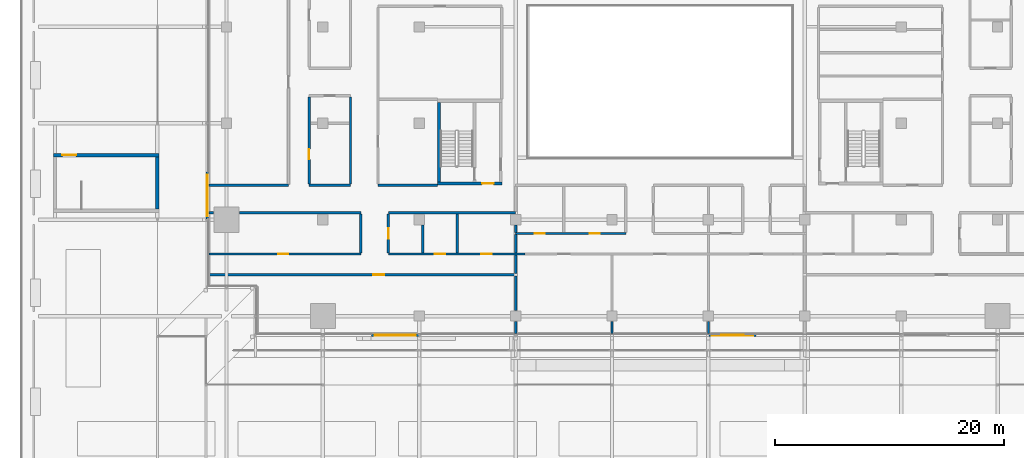
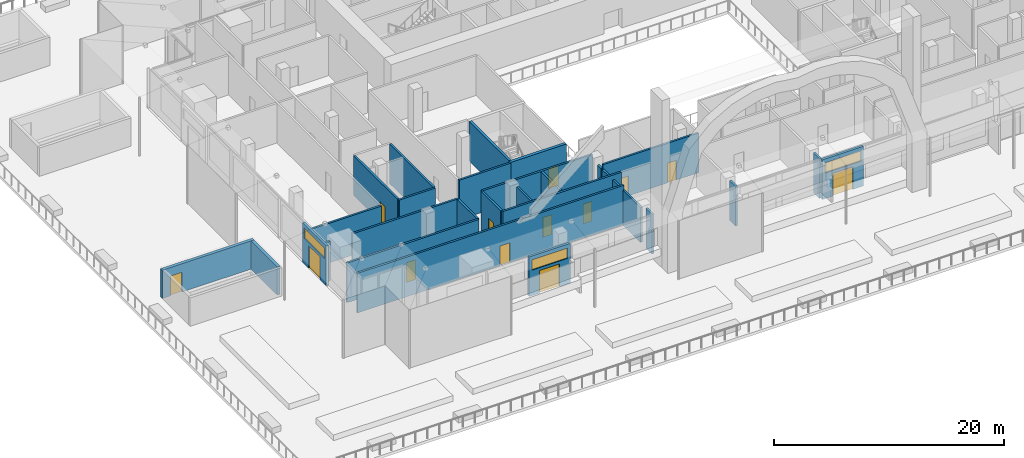
# One storey, part 22 of 60: 30 walls, 13 doors, 3 windows, 16 openings.
"""IFC4 building model written with IfcOpenShell, lengths in metres."""

from ifc_helpers import new_model, si_unit, direction, frame, frame_2d, origin, place, context, subcontext, project, spatial, rectangle, extrude, material, layer, layer_set, type_object, element, fill, save


model = new_model("IFC4")

# Units and contexts
model_context = context("Model", 3, precision=1e-05, world=origin(), true_north=direction((0.0, 1.0)))
body_context = subcontext(model_context, "Body", "Model", "MODEL_VIEW")
ifc_project = project(units=[si_unit("LENGTHUNIT", "METRE"), si_unit("AREAUNIT", "SQUARE_METRE"), si_unit("VOLUMEUNIT", "CUBIC_METRE"), si_unit("PLANEANGLEUNIT", "RADIAN"), si_unit("MASSUNIT", "GRAM", prefix="KILO")], contexts=[model_context])

# Site, building, storey
site_placement = place(None, origin())
site = spatial("IfcSite", under=ifc_project, at=site_placement, CompositionType="ELEMENT")
building_placement = place(site_placement, origin())
building = spatial("IfcBuilding", under=site, at=building_placement, Name="Saffron Gate Tower", CompositionType="ELEMENT")
storey_placement = place(building_placement, frame((0.0, 0.0, 19.199951171875)))
storey = spatial("IfcBuildingStorey", under=building, at=storey_placement, Name="L03", CompositionType="ELEMENT", Elevation=19.199951171875)

# Wall
ifc_material_1 = material(Name="Concrete C70", Category="concrete")
ifc_layer_1 = layer(ifc_material_1, 0.25)
ifc_layer_set_1 = layer_set([ifc_layer_1], Name="CW2 RC core wall 250 C70")
wall_type_1 = type_object("IfcWallType", Name="CW2 RC core wall 250 C70", PredefinedType="SOLIDWALL", material=ifc_layer_set_1)
wall_1_placement = place(storey_placement, frame((68.324951171875, 43.5, 0.0), z_axis=(0.0, 0.0, 1.0), x_axis=(0.0, 1.0, 0.0)))
element("IfcWall", 1, at=wall_1_placement, inside=storey, type_object=wall_type_1, Name="Wall CW2-L03-D-2", PredefinedType="SOLIDWALL", context=body_context, shape_type="SweptSolid", body=[
    extrude(rectangle(XDim=6.89990234375, YDim=0.25, at=frame_2d((3.449951171875, 0.0))), origin(), (0.0, 0.0, 1.0), 4.199951171875),
])

# Wall, opening, door
ifc_layer_2 = layer(ifc_material_1, 0.300048828125)
ifc_layer_set_2 = layer_set([ifc_layer_2], Name="CW5 RC core wall 300 C70")
wall_type_2 = type_object("IfcWallType", Name="CW5 RC core wall 300 C70", PredefinedType="SOLIDWALL", material=ifc_layer_set_2)
wall_2_placement = place(storey_placement, frame((68.199951171875, 43.35009765625, 0.0), z_axis=(0.0, 0.0, 1.0), x_axis=(1.0, 0.0, 0.0)))
wall_2 = element("IfcWall", 2, at=wall_2_placement, inside=storey, type_object=wall_type_2, Name="Wall CW5-L03-D-1", PredefinedType="SOLIDWALL", context=body_context, shape_type="SweptSolid", body=[
    extrude(rectangle(XDim=5.60009765625, YDim=0.300048828125, at=frame_2d((2.800048828125, 0.0))), origin(), (0.0, 0.0, 1.0), 4.199951171875),
])
opening_1_placement = place(wall_2_placement, frame((3.875, 0.0, 0.0)))
opening_1 = element("IfcOpeningElement", 3, at=opening_1_placement, cuts=wall_2, Name="Opening CR-18", PredefinedType="OPENING", context=body_context, shape_type="SweptSolid", body=[
    extrude(rectangle(XDim=1.0, YDim=2.10009765625, at=frame_2d((0.5, 1.050048828125))), frame((0.0, 0.16015625, 0.0), z_axis=(0.0, -1.0, 0.0), x_axis=(1.0, 0.0, 0.0)), (0.0, 0.0, 1.0), 0.320068359375),
])
ifc_material_2 = material(Name="Steel fire door set", Category="steel")
door_type_1 = type_object("IfcDoorType", Name="CD4 Lobby door 1000x2100 EI 120", OperationType="NOTDEFINED", PredefinedType="DOOR", material=ifc_material_2)
door_1_placement = place(opening_1_placement, origin())
door_1 = element("IfcDoor", 4, at=door_1_placement, inside=storey, type_object=door_type_1, Name="DOOR CR-18", OperationType="SINGLE_SWING_RIGHT", OverallHeight=2.10009765625, OverallWidth=1.0, PredefinedType="DOOR", context=body_context, shape_type="SweptSolid", body=[
    extrude(rectangle(XDim=1.0, YDim=2.10009765625, at=frame_2d((0.5, 1.050048828125))), frame((0.0, 0.02490234375, 0.0), z_axis=(0.0, -1.0, 0.0), x_axis=(1.0, 0.0, 0.0)), (0.0, 0.0, 1.0), 0.050048828125),
])
fill(opening_1, door_1)

# Wall
wall_3_placement = place(storey_placement, frame((43.75, 41.125, 0.0), z_axis=(0.0, 0.0, 1.0), x_axis=(0.0, 1.0, 0.0)))
element("IfcWall", 5, at=wall_3_placement, inside=storey, type_object=wall_type_2, Name="Wall CW5-L03-H-3", PredefinedType="SOLIDWALL", context=body_context, shape_type="SweptSolid", body=[
    extrude(rectangle(XDim=4.550048828125, YDim=0.300048828125, at=frame_2d((2.27490234375, 0.0))), origin(), (0.0, 0.0, 1.0), 3.0),
])

# Wall, opening, door
wall_4_placement = place(storey_placement, frame((34.699951171875, 45.824951171875, 0.0), z_axis=(0.0, 0.0, 1.0), x_axis=(1.0, 0.0, 0.0)))
wall_4 = element("IfcWall", 6, at=wall_4_placement, inside=storey, type_object=wall_type_2, Name="Wall CW5-L03-H-4", PredefinedType="SOLIDWALL", context=body_context, shape_type="SweptSolid", body=[
    extrude(rectangle(XDim=9.199951171875, YDim=0.300048828125, at=frame_2d((4.60009765625, 0.0))), origin(), (0.0, 0.0, 1.0), 3.0),
])
opening_2_placement = place(wall_4_placement, frame((0.800048828125, 0.0, 0.0)))
opening_2 = element("IfcOpeningElement", 7, at=opening_2_placement, cuts=wall_4, Name="Opening CR-31", PredefinedType="OPENING", context=body_context, shape_type="SweptSolid", body=[
    extrude(rectangle(XDim=1.199951171875, YDim=2.10009765625, at=frame_2d((0.60009765625, 1.050048828125))), frame((0.0, 0.16015625, 0.0), z_axis=(0.0, -1.0, 0.0), x_axis=(1.0, 0.0, 0.0)), (0.0, 0.0, 1.0), 0.320068359375),
])
door_type_2 = type_object("IfcDoorType", Name="CD12 Stair door 1200x2100 EI 120", OperationType="NOTDEFINED", PredefinedType="DOOR", material=ifc_material_2)
door_2_placement = place(opening_2_placement, origin())
door_2 = element("IfcDoor", 8, at=door_2_placement, inside=storey, type_object=door_type_2, Name="DOOR CR-31", OperationType="SINGLE_SWING_LEFT", OverallHeight=2.10009765625, OverallWidth=1.199951171875, PredefinedType="DOOR", context=body_context, shape_type="SweptSolid", body=[
    extrude(rectangle(XDim=1.199951171875, YDim=2.10009765625, at=frame_2d((0.60009765625, 1.050048828125))), frame((0.0, 0.02490234375, 0.0), z_axis=(0.0, -1.0, 0.0), x_axis=(1.0, 0.0, 0.0)), (0.0, 0.0, 1.0), 0.050048828125),
])
fill(opening_2, door_2)

ifc_material_3 = material(Name="Clay brick masonry, rendered", Category="masonry")
ifc_layer_3 = layer(ifc_material_3, 0.199951171875)
ifc_layer_set_3 = layer_set([ifc_layer_3], Name="PW3 Corridor wall 200")
wall_type_3 = type_object("IfcWallType", Name="PW3 Corridor wall 200", PredefinedType="PARTITIONING", material=ifc_layer_set_3)
wall_5_placement = place(storey_placement, frame((75.0, 35.39990234375, 0.0), z_axis=(0.0, 0.0, 1.0), x_axis=(-1.0, 0.0, 0.0)))
wall_5 = element("IfcWall", 9, at=wall_5_placement, inside=storey, type_object=wall_type_3, Name="Wall S1-1", PredefinedType="PARTITIONING", context=body_context, shape_type="SweptSolid", body=[
    extrude(rectangle(XDim=26.719970703125, YDim=0.199951171875, at=frame_2d((13.35986328125, 0.0))), origin(), (0.0, 0.0, 1.0), 4.199951171875),
])
opening_3_placement = place(wall_5_placement, frame((11.430908203125, 0.0, 0.0)))
opening_3 = element("IfcOpeningElement", 10, at=opening_3_placement, cuts=wall_5, Name="Opening S1-32", PredefinedType="OPENING", context=body_context, shape_type="SweptSolid", body=[
    extrude(rectangle(XDim=1.0, YDim=2.10009765625, at=frame_2d((0.5, 1.050048828125))), frame((0.0, 0.10986328125, 0.0), z_axis=(0.0, -1.0, 0.0), x_axis=(1.0, 0.0, 0.0)), (0.0, 0.0, 1.0), 0.219970703125),
])
ifc_material_4 = material(Name="Timber door set", Category="wood")
door_type_3 = type_object("IfcDoorType", Name="HD1 Hall door 1200x2100", OperationType="NOTDEFINED", PredefinedType="DOOR", material=ifc_material_4)
door_3_placement = place(opening_3_placement, origin())
door_3 = element("IfcDoor", 11, at=door_3_placement, inside=storey, type_object=door_type_3, Name="Door S1-32", OperationType="SINGLE_SWING_LEFT", OverallHeight=2.10009765625, OverallWidth=1.0, PredefinedType="DOOR", context=body_context, shape_type="SweptSolid", body=[
    extrude(rectangle(XDim=1.0, YDim=2.10009765625, at=frame_2d((0.5, 1.050048828125))), frame((0.0, 0.02490234375, 0.0), z_axis=(0.0, -1.0, 0.0), x_axis=(1.0, 0.0, 0.0)), (0.0, 0.0, 1.0), 0.050048828125),
])
fill(opening_3, door_3)

wall_6_placement = place(storey_placement, frame((48.280029296875, 37.199951171875, 0.0), z_axis=(0.0, 0.0, 1.0), x_axis=(1.0, 0.0, 0.0)))
wall_6 = element("IfcWall", 12, at=wall_6_placement, inside=storey, type_object=wall_type_3, Name="Wall S1-3", PredefinedType="PARTITIONING", context=body_context, shape_type="SweptSolid", body=[
    extrude(rectangle(XDim=13.219970703125, YDim=0.199951171875, at=frame_2d((6.60986328125, 0.0))), origin(), (0.0, 0.0, 1.0), 4.199951171875),
])
opening_4_placement = place(wall_6_placement, frame((6.02001953125, 0.0, 0.0)))
opening_4 = element("IfcOpeningElement", 13, at=opening_4_placement, cuts=wall_6, Name="Opening S1-6", PredefinedType="OPENING", context=body_context, shape_type="SweptSolid", body=[
    extrude(rectangle(XDim=0.89990234375, YDim=2.10009765625, at=frame_2d((0.449951171875, 1.050048828125))), frame((0.0, 0.10986328125, 0.0), z_axis=(0.0, -1.0, 0.0), x_axis=(1.0, 0.0, 0.0)), (0.0, 0.0, 1.0), 0.219970703125),
])
door_type_4 = type_object("IfcDoorType", Name="RD1 Room door 900x2100", OperationType="NOTDEFINED", PredefinedType="DOOR", material=ifc_material_4)
door_4_placement = place(opening_4_placement, origin())
door_4 = element("IfcDoor", 14, at=door_4_placement, inside=storey, type_object=door_type_4, Name="Door S1-6", OperationType="SINGLE_SWING_LEFT", OverallHeight=2.10009765625, OverallWidth=0.89990234375, PredefinedType="DOOR", context=body_context, shape_type="SweptSolid", body=[
    extrude(rectangle(XDim=0.89990234375, YDim=2.10009765625, at=frame_2d((0.449951171875, 1.050048828125))), frame((0.0, 0.02490234375, 0.0), z_axis=(0.0, -1.0, 0.0), x_axis=(1.0, 0.0, 0.0)), (0.0, 0.0, 1.0), 0.050048828125),
])
fill(opening_4, door_4)

# Wall, openings, doors
wall_7_placement = place(storey_placement, frame((63.89990234375, 37.199951171875, 0.0), z_axis=(0.0, 0.0, 1.0), x_axis=(1.0, 0.0, 0.0)))
wall_7 = element("IfcWall", 15, at=wall_7_placement, inside=storey, type_object=wall_type_3, Name="Wall S1-4", PredefinedType="PARTITIONING", context=body_context, shape_type="SweptSolid", body=[
    extrude(rectangle(XDim=11.900146484375, YDim=0.199951171875, at=frame_2d((5.9501953125, 0.0))), origin(), (0.0, 0.0, 1.0), 4.199951171875),
])
opening_5_placement = place(wall_7_placement, frame((4.050048828125, 0.0, 0.0)))
opening_5 = element("IfcOpeningElement", 16, at=opening_5_placement, cuts=wall_7, Name="Opening S1-8", PredefinedType="OPENING", context=body_context, shape_type="SweptSolid", body=[
    extrude(rectangle(XDim=0.89990234375, YDim=2.10009765625, at=frame_2d((0.449951171875, 1.050048828125))), frame((0.0, 0.10986328125, 0.0), z_axis=(0.0, -1.0, 0.0), x_axis=(1.0, 0.0, 0.0)), (0.0, 0.0, 1.0), 0.219970703125),
])
opening_6_placement = place(wall_7_placement, frame((8.10009765625, 0.0, 0.0)))
opening_6 = element("IfcOpeningElement", 17, at=opening_6_placement, cuts=wall_7, Name="Opening S1-9", PredefinedType="OPENING", context=body_context, shape_type="SweptSolid", body=[
    extrude(rectangle(XDim=0.89990234375, YDim=2.10009765625, at=frame_2d((0.449951171875, 1.050048828125))), frame((0.0, 0.10986328125, 0.0), z_axis=(0.0, -1.0, 0.0), x_axis=(1.0, 0.0, 0.0)), (0.0, 0.0, 1.0), 0.219970703125),
])
door_5_placement = place(opening_5_placement, origin())
door_5 = element("IfcDoor", 18, at=door_5_placement, inside=storey, type_object=door_type_4, Name="Door S1-8", OperationType="SINGLE_SWING_RIGHT", OverallHeight=2.10009765625, OverallWidth=0.89990234375, PredefinedType="DOOR", context=body_context, shape_type="SweptSolid", body=[
    extrude(rectangle(XDim=0.89990234375, YDim=2.10009765625, at=frame_2d((0.449951171875, 1.050048828125))), frame((0.0, 0.02490234375, 0.0), z_axis=(0.0, -1.0, 0.0), x_axis=(1.0, 0.0, 0.0)), (0.0, 0.0, 1.0), 0.050048828125),
])
fill(opening_5, door_5)
door_6_placement = place(opening_6_placement, origin())
door_6 = element("IfcDoor", 19, at=door_6_placement, inside=storey, type_object=door_type_4, Name="Door S1-9", OperationType="SINGLE_SWING_RIGHT", OverallHeight=2.10009765625, OverallWidth=0.89990234375, PredefinedType="DOOR", context=body_context, shape_type="SweptSolid", body=[
    extrude(rectangle(XDim=0.89990234375, YDim=2.10009765625, at=frame_2d((0.449951171875, 1.050048828125))), frame((0.0, 0.02490234375, 0.0), z_axis=(0.0, -1.0, 0.0), x_axis=(1.0, 0.0, 0.0)), (0.0, 0.0, 1.0), 0.050048828125),
])
fill(opening_6, door_6)

wall_8_placement = place(storey_placement, frame((75.0, 39.0, 0.0), z_axis=(0.0, 0.0, 1.0), x_axis=(1.0, 0.0, 0.0)))
wall_8 = element("IfcWall", 20, at=wall_8_placement, inside=storey, type_object=wall_type_3, Name="Wall S1-8", PredefinedType="PARTITIONING", context=body_context, shape_type="SweptSolid", body=[
    extrude(rectangle(XDim=9.60009765625, YDim=0.199951171875, at=frame_2d((4.800048828125, 0.0))), origin(), (0.0, 0.0, 1.0), 4.199951171875),
])
opening_7_placement = place(wall_8_placement, frame((1.64990234375, 0.0, 0.0)))
opening_7 = element("IfcOpeningElement", 21, at=opening_7_placement, cuts=wall_8, Name="Opening S1-10", PredefinedType="OPENING", context=body_context, shape_type="SweptSolid", body=[
    extrude(rectangle(XDim=0.89990234375, YDim=2.10009765625, at=frame_2d((0.449951171875, 1.050048828125))), frame((0.0, 0.10986328125, 0.0), z_axis=(0.0, -1.0, 0.0), x_axis=(1.0, 0.0, 0.0)), (0.0, 0.0, 1.0), 0.219970703125),
])
opening_8_placement = place(wall_8_placement, frame((6.449951171875, 0.0, 0.0)))
opening_8 = element("IfcOpeningElement", 22, at=opening_8_placement, cuts=wall_8, Name="Opening S1-11", PredefinedType="OPENING", context=body_context, shape_type="SweptSolid", body=[
    extrude(rectangle(XDim=0.89990234375, YDim=2.10009765625, at=frame_2d((0.449951171875, 1.050048828125))), frame((0.0, 0.10986328125, 0.0), z_axis=(0.0, -1.0, 0.0), x_axis=(1.0, 0.0, 0.0)), (0.0, 0.0, 1.0), 0.219970703125),
])
door_7_placement = place(opening_7_placement, origin())
door_7 = element("IfcDoor", 23, at=door_7_placement, inside=storey, type_object=door_type_4, Name="Door S1-10", OperationType="SINGLE_SWING_RIGHT", OverallHeight=2.10009765625, OverallWidth=0.89990234375, PredefinedType="DOOR", context=body_context, shape_type="SweptSolid", body=[
    extrude(rectangle(XDim=0.89990234375, YDim=2.10009765625, at=frame_2d((0.449951171875, 1.050048828125))), frame((0.0, 0.02490234375, 0.0), z_axis=(0.0, -1.0, 0.0), x_axis=(1.0, 0.0, 0.0)), (0.0, 0.0, 1.0), 0.050048828125),
])
fill(opening_7, door_7)
door_8_placement = place(opening_8_placement, origin())
door_8 = element("IfcDoor", 24, at=door_8_placement, inside=storey, type_object=door_type_4, Name="Door S1-11", OperationType="SINGLE_SWING_LEFT", OverallHeight=2.10009765625, OverallWidth=0.89990234375, PredefinedType="DOOR", context=body_context, shape_type="SweptSolid", body=[
    extrude(rectangle(XDim=0.89990234375, YDim=2.10009765625, at=frame_2d((0.449951171875, 1.050048828125))), frame((0.0, 0.02490234375, 0.0), z_axis=(0.0, -1.0, 0.0), x_axis=(1.0, 0.0, 0.0)), (0.0, 0.0, 1.0), 0.050048828125),
])
fill(opening_8, door_8)

# Walls
wall_9_placement = place(storey_placement, frame((48.280029296875, 40.800048828125, 0.0), z_axis=(0.0, 0.0, 1.0), x_axis=(1.0, 0.0, 0.0)))
element("IfcWall", 25, at=wall_9_placement, inside=storey, type_object=wall_type_3, Name="Wall S1-11", PredefinedType="PARTITIONING", context=body_context, shape_type="SweptSolid", body=[
    extrude(rectangle(XDim=0.39990234375, YDim=0.199951171875, at=frame_2d((0.199951171875, 0.0))), origin(), (0.0, 0.0, 1.0), 4.199951171875),
])
wall_10_placement = place(storey_placement, frame((50.919921875, 40.800048828125, 0.0), z_axis=(0.0, 0.0, 1.0), x_axis=(1.0, 0.0, 0.0)))
element("IfcWall", 26, at=wall_10_placement, inside=storey, type_object=wall_type_3, Name="Wall S1-12", PredefinedType="PARTITIONING", context=body_context, shape_type="SweptSolid", body=[
    extrude(rectangle(XDim=10.580078125, YDim=0.199951171875, at=frame_2d((5.2900390625, 0.0))), origin(), (0.0, 0.0, 1.0), 4.199951171875),
])
wall_11_placement = place(storey_placement, frame((63.89990234375, 40.800048828125, 0.0), z_axis=(0.0, 0.0, 1.0), x_axis=(1.0, 0.0, 0.0)))
element("IfcWall", 27, at=wall_11_placement, inside=storey, type_object=wall_type_3, Name="Wall S1-13", PredefinedType="PARTITIONING", context=body_context, shape_type="SweptSolid", body=[
    extrude(rectangle(XDim=11.10009765625, YDim=0.199951171875, at=frame_2d((5.550048828125, 0.0))), origin(), (0.0, 0.0, 1.0), 4.199951171875),
])
wall_12_placement = place(storey_placement, frame((48.280029296875, 43.199951171875, 0.0), z_axis=(0.0, 0.0, 1.0), x_axis=(1.0, 0.0, 0.0)))
element("IfcWall", 28, at=wall_12_placement, inside=storey, type_object=wall_type_3, Name="Wall S1-17", PredefinedType="PARTITIONING", context=body_context, shape_type="SweptSolid", body=[
    extrude(rectangle(XDim=6.919921875, YDim=0.199951171875, at=frame_2d((3.4599609375, 0.0))), origin(), (0.0, 0.0, 1.0), 4.199951171875),
])
wall_13_placement = place(storey_placement, frame((57.0, 43.199951171875, 0.0), z_axis=(0.0, 0.0, 1.0), x_axis=(1.0, 0.0, 0.0)))
element("IfcWall", 29, at=wall_13_placement, inside=storey, type_object=wall_type_3, Name="Wall S1-18", PredefinedType="PARTITIONING", context=body_context, shape_type="SweptSolid", body=[
    extrude(rectangle(XDim=3.60009765625, YDim=0.199951171875, at=frame_2d((1.800048828125, 0.0))), origin(), (0.0, 0.0, 1.0), 4.199951171875),
])
wall_14_placement = place(storey_placement, frame((63.0, 43.199951171875, 0.0), z_axis=(0.0, 0.0, 1.0), x_axis=(1.0, 0.0, 0.0)))
element("IfcWall", 30, at=wall_14_placement, inside=storey, type_object=wall_type_3, Name="Wall S1-19", PredefinedType="PARTITIONING", context=body_context, shape_type="SweptSolid", body=[
    extrude(rectangle(XDim=5.199951171875, YDim=0.199951171875, at=frame_2d((2.60009765625, 0.0))), origin(), (0.0, 0.0, 1.0), 4.199951171875),
])

# Wall, opening, door
wall_15_placement = place(storey_placement, frame((57.0, 50.89990234375, 0.0), z_axis=(0.0, 0.0, 1.0), x_axis=(0.0, -1.0, 0.0)))
wall_15 = element("IfcWall", 31, at=wall_15_placement, inside=storey, type_object=wall_type_3, Name="Wall S1-58", PredefinedType="PARTITIONING", context=body_context, shape_type="SweptSolid", body=[
    extrude(rectangle(XDim=7.599853515625, YDim=0.199951171875, at=frame_2d((3.7998046875, 0.0))), origin(), (0.0, 0.0, 1.0), 4.199951171875),
])
opening_9_placement = place(wall_15_placement, frame((4.550048828125, 0.0, 0.0)))
opening_9 = element("IfcOpeningElement", 32, at=opening_9_placement, cuts=wall_15, Name="Opening S1-19", PredefinedType="OPENING", context=body_context, shape_type="SweptSolid", body=[
    extrude(rectangle(XDim=0.89990234375, YDim=2.10009765625, at=frame_2d((0.449951171875, 1.050048828125))), frame((0.0, 0.10986328125, 0.0), z_axis=(0.0, -1.0, 0.0), x_axis=(1.0, 0.0, 0.0)), (0.0, 0.0, 1.0), 0.219970703125),
])
door_9_placement = place(opening_9_placement, origin())
door_9 = element("IfcDoor", 33, at=door_9_placement, inside=storey, type_object=door_type_4, Name="Door S1-19", OperationType="SINGLE_SWING_RIGHT", OverallHeight=2.10009765625, OverallWidth=0.89990234375, PredefinedType="DOOR", context=body_context, shape_type="SweptSolid", body=[
    extrude(rectangle(XDim=0.89990234375, YDim=2.10009765625, at=frame_2d((0.449951171875, 1.050048828125))), frame((0.0, 0.02490234375, 0.0), z_axis=(0.0, -1.0, 0.0), x_axis=(1.0, 0.0, 0.0)), (0.0, 0.0, 1.0), 0.050048828125),
])
fill(opening_9, door_9)

# Walls
wall_16_placement = place(storey_placement, frame((60.60009765625, 50.89990234375, 0.0), z_axis=(0.0, 0.0, 1.0), x_axis=(0.0, -1.0, 0.0)))
element("IfcWall", 34, at=wall_16_placement, inside=storey, type_object=wall_type_3, Name="Wall S1-61", PredefinedType="PARTITIONING", context=body_context, shape_type="SweptSolid", body=[
    extrude(rectangle(XDim=7.599853515625, YDim=0.199951171875, at=frame_2d((3.7998046875, 0.0))), origin(), (0.0, 0.0, 1.0), 4.199951171875),
])
wall_17_placement = place(storey_placement, frame((61.5, 40.699951171875, 0.0), z_axis=(0.0, 0.0, 1.0), x_axis=(0.0, -1.0, 0.0)))
element("IfcWall", 35, at=wall_17_placement, inside=storey, type_object=wall_type_3, Name="Wall S1-63", PredefinedType="PARTITIONING", context=body_context, shape_type="SweptSolid", body=[
    extrude(rectangle(XDim=3.39990234375, YDim=0.199951171875, at=frame_2d((1.699951171875, 0.0))), origin(), (0.0, 0.0, 1.0), 4.199951171875),
])

# Wall, opening, door
wall_18_placement = place(storey_placement, frame((63.89990234375, 40.699951171875, 0.0), z_axis=(0.0, 0.0, 1.0), x_axis=(0.0, -1.0, 0.0)))
wall_18 = element("IfcWall", 36, at=wall_18_placement, inside=storey, type_object=wall_type_3, Name="Wall S1-65", PredefinedType="PARTITIONING", context=body_context, shape_type="SweptSolid", body=[
    extrude(rectangle(XDim=3.39990234375, YDim=0.199951171875, at=frame_2d((1.699951171875, 0.0))), origin(), (0.0, 0.0, 1.0), 4.199951171875),
])
opening_10_placement = place(wall_18_placement, frame((1.25, 0.0, 0.0)))
opening_10 = element("IfcOpeningElement", 37, at=opening_10_placement, cuts=wall_18, Name="Opening S1-7", PredefinedType="OPENING", context=body_context, shape_type="SweptSolid", body=[
    extrude(rectangle(XDim=0.89990234375, YDim=2.10009765625, at=frame_2d((0.449951171875, 1.050048828125))), frame((0.0, 0.10986328125, 0.0), z_axis=(0.0, -1.0, 0.0), x_axis=(1.0, 0.0, 0.0)), (0.0, 0.0, 1.0), 0.219970703125),
])
door_10_placement = place(opening_10_placement, origin())
door_10 = element("IfcDoor", 38, at=door_10_placement, inside=storey, type_object=door_type_4, Name="Door S1-7", OperationType="SINGLE_SWING_RIGHT", OverallHeight=2.10009765625, OverallWidth=0.89990234375, PredefinedType="DOOR", context=body_context, shape_type="SweptSolid", body=[
    extrude(rectangle(XDim=0.89990234375, YDim=2.10009765625, at=frame_2d((0.449951171875, 1.050048828125))), frame((0.0, 0.02490234375, 0.0), z_axis=(0.0, -1.0, 0.0), x_axis=(1.0, 0.0, 0.0)), (0.0, 0.0, 1.0), 0.050048828125),
])
fill(opening_10, door_10)

# Walls
wall_19_placement = place(storey_placement, frame((75.0, 37.10009765625, 0.0), z_axis=(0.0, 0.0, 1.0), x_axis=(0.0, -1.0, 0.0)))
element("IfcWall", 39, at=wall_19_placement, inside=storey, type_object=wall_type_3, Name="Wall S1-105", PredefinedType="PARTITIONING", context=body_context, shape_type="SweptSolid", body=[
    extrude(rectangle(XDim=1.60009765625, YDim=0.199951171875, at=frame_2d((0.800048828125, 0.0))), origin(), (0.0, 0.0, 1.0), 3.699951171875),
])
wall_20_placement = place(storey_placement, frame((75.0, 38.89990234375, 0.0), z_axis=(0.0, 0.0, 1.0), x_axis=(0.0, -1.0, 0.0)))
element("IfcWall", 40, at=wall_20_placement, inside=storey, type_object=wall_type_3, Name="Wall S1-106", PredefinedType="PARTITIONING", context=body_context, shape_type="SweptSolid", body=[
    extrude(rectangle(XDim=1.599853515625, YDim=0.199951171875, at=frame_2d((0.7998046875, 0.0))), origin(), (0.0, 0.0, 1.0), 3.699951171875),
])
ifc_layer_4 = layer(ifc_material_3, 0.199951171875)
ifc_layer_set_4 = layer_set([ifc_layer_4], Name="PW5 Room wall 200")
wall_type_4 = type_object("IfcWallType", Name="PW5 Room wall 200", PredefinedType="PARTITIONING", material=ifc_layer_set_4)
wall_21_placement = place(storey_placement, frame((66.89990234375, 39.72998046875, 0.0), z_axis=(0.0, 0.0, 1.0), x_axis=(0.0, -1.0, 0.0)))
element("IfcWall", 41, at=wall_21_placement, inside=storey, type_object=wall_type_4, Name="Wall S1-68", PredefinedType="PARTITIONING", context=body_context, shape_type="SweptSolid", body=[
    extrude(rectangle(XDim=2.429931640625, YDim=0.199951171875, at=frame_2d((1.21484375, 0.0))), origin(), (0.0, 0.0, 1.0), 4.199951171875),
])
wall_22_placement = place(storey_placement, frame((69.89990234375, 40.699951171875, 0.0), z_axis=(0.0, 0.0, 1.0), x_axis=(0.0, -1.0, 0.0)))
element("IfcWall", 42, at=wall_22_placement, inside=storey, type_object=wall_type_4, Name="Wall S1-69", PredefinedType="PARTITIONING", context=body_context, shape_type="SweptSolid", body=[
    extrude(rectangle(XDim=3.39990234375, YDim=0.199951171875, at=frame_2d((1.699951171875, 0.0))), origin(), (0.0, 0.0, 1.0), 4.199951171875),
])
wall_23_placement = place(storey_placement, frame((75.0, 31.330078125, 0.0), z_axis=(0.0, 0.0, 1.0), x_axis=(0.0, -1.0, 0.0)))
element("IfcWall", 43, at=wall_23_placement, inside=storey, type_object=wall_type_4, Name="Wall S1-72", PredefinedType="PARTITIONING", context=body_context, shape_type="SweptSolid", body=[
    extrude(rectangle(XDim=1.050048828125, YDim=0.199951171875, at=frame_2d((0.52490234375, 0.0))), origin(), (0.0, 0.0, 1.0), 4.199951171875),
])
wall_24_placement = place(storey_placement, frame((75.0, 35.300048828125, 0.0), z_axis=(0.0, 0.0, 1.0), x_axis=(0.0, -1.0, 0.0)))
element("IfcWall", 44, at=wall_24_placement, inside=storey, type_object=wall_type_4, Name="Wall S1-73", PredefinedType="PARTITIONING", context=body_context, shape_type="SweptSolid", body=[
    extrude(rectangle(XDim=3.030029296875, YDim=0.199951171875, at=frame_2d((1.51513671875, 0.0))), origin(), (0.0, 0.0, 1.0), 3.699951171875),
])
wall_25_placement = place(storey_placement, frame((75.0, 39.72998046875, 0.0), z_axis=(0.0, 0.0, 1.0), x_axis=(0.0, -1.0, 0.0)))
element("IfcWall", 45, at=wall_25_placement, inside=storey, type_object=wall_type_4, Name="Wall S1-74", PredefinedType="PARTITIONING", context=body_context, shape_type="SweptSolid", body=[
    extrude(rectangle(XDim=0.6298828125, YDim=0.199951171875, at=frame_2d((0.31494140625, 0.0))), origin(), (0.0, 0.0, 1.0), 3.699951171875),
])
for number, where, z_axis, x_axis, name in (
    (46, (83.39990234375, 31.330078125, 0.0), (0.0, 0.0, 1.0), (0.0, -1.0, 0.0), "Wall S1-76"),
    (47, (91.800048828125, 31.330078125, 0.0), (0.0, 0.0, 1.0), (0.0, -1.0, 0.0), "Wall S1-81"),
):
    element("IfcWall", number, at=place(storey_placement, frame(where, z_axis=z_axis, x_axis=x_axis)), inside=storey, type_object=wall_type_4, Name=name, PredefinedType="PARTITIONING", context=body_context, shape_type="SweptSolid", body=[
        extrude(rectangle(XDim=1.050048828125, YDim=0.199951171875, at=frame_2d((0.52490234375, 0.0))), origin(), (0.0, 0.0, 1.0), 4.199951171875),
    ])

# Wall, openings, door, window
ifc_material_5 = material(Name="Reinforced concrete C40/50 clad in bronze panels", Category="concrete")
ifc_layer_5 = layer(ifc_material_5, 0.25)
ifc_layer_set_5 = layer_set([ifc_layer_5], Name="WBAY2 deck door bay wall")
wall_type_5 = type_object("IfcWallType", Name="WBAY2 deck door bay wall", PredefinedType="SOLIDWALL", material=ifc_layer_set_5)
wall_26_placement = place(storey_placement, frame((66.56005859375, 30.125, 0.0), z_axis=(0.0, 0.0, 1.0), x_axis=(-1.0, 0.0, 0.0)))
wall_26 = element("IfcWall", 48, at=wall_26_placement, inside=storey, type_object=wall_type_5, Name="ENTRANCE BAY wall", PredefinedType="SOLIDWALL", context=body_context, shape_type="SweptSolid", body=[
    extrude(rectangle(XDim=4.1201171875, YDim=0.25, at=frame_2d((2.06005859375, 0.0))), origin(), (0.0, 0.0, 1.0), 4.199951171875),
])
opening_11_placement = place(wall_26_placement, frame((1.06005859375, 0.0, 0.0)))
opening_11 = element("IfcOpeningElement", 49, at=opening_11_placement, cuts=wall_26, Name="Opening D01", PredefinedType="OPENING", context=body_context, shape_type="SweptSolid", body=[
    extrude(rectangle(XDim=2.0, YDim=2.39990234375, at=frame_2d((1.0, 1.199951171875))), frame((0.0, 0.135009765625, 0.0), z_axis=(0.0, -1.0, 0.0), x_axis=(1.0, 0.0, 0.0)), (0.0, 0.0, 1.0), 0.27001953125),
])
opening_12_placement = place(wall_26_placement, frame((0.260009765625, 0.0, 2.699951171875)))
opening_12 = element("IfcOpeningElement", 50, at=opening_12_placement, cuts=wall_26, Name="Opening W10", PredefinedType="OPENING", context=body_context, shape_type="SweptSolid", body=[
    extrude(rectangle(XDim=3.60009765625, YDim=1.10009765625, at=frame_2d((1.800048828125, 0.550048828125))), frame((0.0, 0.135009765625, 0.0), z_axis=(0.0, -1.0, 0.0), x_axis=(1.0, 0.0, 0.0)), (0.0, 0.0, 1.0), 0.27001953125),
])
ifc_material_6 = material(Name="Bronze-framed toughened glass", Category="glass")
ifc_layer_6 = layer(ifc_material_6, 0.050048828125)
ifc_layer_set_6 = layer_set([ifc_layer_6], Name="D1 external double door 2000x2400")
door_type_5 = type_object("IfcDoorType", Name="D1 external double door 2000x2400", OperationType="DOUBLE_DOOR_SINGLE_SWING", PredefinedType="DOOR", material=ifc_layer_set_6)
door_11_placement = place(opening_11_placement, origin())
door_11 = element("IfcDoor", 51, at=door_11_placement, inside=storey, type_object=door_type_5, Name="DOOR D01", OperationType="DOUBLE_DOOR_SINGLE_SWING", OverallHeight=2.39990234375, OverallWidth=2.0, PredefinedType="DOOR", context=body_context, shape_type="SweptSolid", body=[
    extrude(rectangle(XDim=2.0, YDim=2.39990234375, at=frame_2d((1.0, 1.199951171875))), frame((0.0, 0.02490234375, 0.0), z_axis=(0.0, -1.0, 0.0), x_axis=(1.0, 0.0, 0.0)), (0.0, 0.0, 1.0), 0.050048828125),
])
fill(opening_11, door_11)
ifc_material_7 = material(Name="Clear low-iron laminated glass in bronze frame", Category="glass")
ifc_layer_7 = layer(ifc_material_7, 0.06005859375)
ifc_layer_set_7 = layer_set([ifc_layer_7], Name="W10 school entrance light")
window_type = type_object("IfcWindowType", Name="W10 school entrance light", PartitioningType="SINGLE_PANEL", PredefinedType="WINDOW", material=ifc_layer_set_7)
window_1_placement = place(opening_12_placement, origin())
window_1 = element("IfcWindow", 52, at=window_1_placement, inside=storey, type_object=window_type, Name="W10 entrance light", OverallHeight=1.10009765625, OverallWidth=3.60009765625, PartitioningType="SINGLE_PANEL", PredefinedType="WINDOW", context=body_context, shape_type="SweptSolid", body=[
    extrude(rectangle(XDim=3.60009765625, YDim=1.10009765625, at=frame_2d((1.800048828125, 0.550048828125))), frame((0.0, 0.030029296875, 0.0), z_axis=(0.0, -1.0, 0.0), x_axis=(1.0, 0.0, 0.0)), (0.0, 0.0, 1.0), 0.06005859375),
])
fill(opening_12, window_1)

wall_27_placement = place(storey_placement, frame((95.9599609375, 30.125, 0.0), z_axis=(0.0, 0.0, 1.0), x_axis=(-1.0, 0.0, 0.0)))
wall_27 = element("IfcWall", 53, at=wall_27_placement, inside=storey, type_object=wall_type_5, Name="ENTRANCE BAY wall", PredefinedType="SOLIDWALL", context=body_context, shape_type="SweptSolid", body=[
    extrude(rectangle(XDim=4.119873046875, YDim=0.25, at=frame_2d((2.06005859375, 0.0))), origin(), (0.0, 0.0, 1.0), 4.199951171875),
])
opening_13_placement = place(wall_27_placement, frame((1.06005859375, 0.0, 0.0)))
opening_13 = element("IfcOpeningElement", 54, at=opening_13_placement, cuts=wall_27, Name="Opening D02", PredefinedType="OPENING", context=body_context, shape_type="SweptSolid", body=[
    extrude(rectangle(XDim=2.0, YDim=2.39990234375, at=frame_2d((1.0, 1.199951171875))), frame((0.0, 0.135009765625, 0.0), z_axis=(0.0, -1.0, 0.0), x_axis=(1.0, 0.0, 0.0)), (0.0, 0.0, 1.0), 0.27001953125),
])
opening_14_placement = place(wall_27_placement, frame((0.260009765625, 0.0, 2.699951171875)))
opening_14 = element("IfcOpeningElement", 55, at=opening_14_placement, cuts=wall_27, Name="Opening W10", PredefinedType="OPENING", context=body_context, shape_type="SweptSolid", body=[
    extrude(rectangle(XDim=3.60009765625, YDim=1.10009765625, at=frame_2d((1.800048828125, 0.550048828125))), frame((0.0, 0.135009765625, 0.0), z_axis=(0.0, -1.0, 0.0), x_axis=(1.0, 0.0, 0.0)), (0.0, 0.0, 1.0), 0.27001953125),
])
door_12_placement = place(opening_13_placement, origin())
door_12 = element("IfcDoor", 56, at=door_12_placement, inside=storey, type_object=door_type_5, Name="DOOR D02", OperationType="DOUBLE_DOOR_SINGLE_SWING", OverallHeight=2.39990234375, OverallWidth=2.0, PredefinedType="DOOR", context=body_context, shape_type="SweptSolid", body=[
    extrude(rectangle(XDim=2.0, YDim=2.39990234375, at=frame_2d((1.0, 1.199951171875))), frame((0.0, 0.02490234375, 0.0), z_axis=(0.0, -1.0, 0.0), x_axis=(1.0, 0.0, 0.0)), (0.0, 0.0, 1.0), 0.050048828125),
])
fill(opening_13, door_12)
window_2_placement = place(opening_14_placement, origin())
window_2 = element("IfcWindow", 57, at=window_2_placement, inside=storey, type_object=window_type, Name="W10 entrance light", OverallHeight=1.10009765625, OverallWidth=3.60009765625, PartitioningType="SINGLE_PANEL", PredefinedType="WINDOW", context=body_context, shape_type="SweptSolid", body=[
    extrude(rectangle(XDim=3.60009765625, YDim=1.10009765625, at=frame_2d((1.800048828125, 0.550048828125))), frame((0.0, 0.030029296875, 0.0), z_axis=(0.0, -1.0, 0.0), x_axis=(1.0, 0.0, 0.0)), (0.0, 0.0, 1.0), 0.06005859375),
])
fill(opening_14, window_2)

wall_28_placement = place(storey_placement, frame((48.125, 40.239990234375, 0.0), z_axis=(0.0, 0.0, 1.0), x_axis=(0.0, 1.0, 0.0)))
wall_28 = element("IfcWall", 58, at=wall_28_placement, inside=storey, type_object=wall_type_5, Name="ENTRANCE BAY wall", PredefinedType="SOLIDWALL", context=body_context, shape_type="SweptSolid", body=[
    extrude(rectangle(XDim=4.1201171875, YDim=0.25, at=frame_2d((2.06005859375, 0.0))), origin(), (0.0, 0.0, 1.0), 4.199951171875),
])
opening_15_placement = place(wall_28_placement, frame((1.06005859375, 0.0, 0.0)))
opening_15 = element("IfcOpeningElement", 59, at=opening_15_placement, cuts=wall_28, Name="Opening D06", PredefinedType="OPENING", context=body_context, shape_type="SweptSolid", body=[
    extrude(rectangle(XDim=2.0, YDim=2.39990234375, at=frame_2d((1.0, 1.199951171875))), frame((0.0, 0.135009765625, 0.0), z_axis=(0.0, -1.0, 0.0), x_axis=(1.0, 0.0, 0.0)), (0.0, 0.0, 1.0), 0.27001953125),
])
opening_16_placement = place(wall_28_placement, frame((0.260009765625, 0.0, 2.699951171875)))
opening_16 = element("IfcOpeningElement", 60, at=opening_16_placement, cuts=wall_28, Name="Opening W10", PredefinedType="OPENING", context=body_context, shape_type="SweptSolid", body=[
    extrude(rectangle(XDim=3.60009765625, YDim=1.10009765625, at=frame_2d((1.800048828125, 0.550048828125))), frame((0.0, 0.135009765625, 0.0), z_axis=(0.0, -1.0, 0.0), x_axis=(1.0, 0.0, 0.0)), (0.0, 0.0, 1.0), 0.27001953125),
])
door_13_placement = place(opening_15_placement, origin())
door_13 = element("IfcDoor", 61, at=door_13_placement, inside=storey, type_object=door_type_5, Name="DOOR D06", OperationType="DOUBLE_DOOR_SINGLE_SWING", OverallHeight=2.39990234375, OverallWidth=2.0, PredefinedType="DOOR", context=body_context, shape_type="SweptSolid", body=[
    extrude(rectangle(XDim=2.0, YDim=2.39990234375, at=frame_2d((1.0, 1.199951171875))), frame((0.0, 0.02490234375, 0.0), z_axis=(0.0, -1.0, 0.0), x_axis=(1.0, 0.0, 0.0)), (0.0, 0.0, 1.0), 0.050048828125),
])
fill(opening_15, door_13)
window_3_placement = place(opening_16_placement, origin())
window_3 = element("IfcWindow", 62, at=window_3_placement, inside=storey, type_object=window_type, Name="W10 entrance light", OverallHeight=1.10009765625, OverallWidth=3.60009765625, PartitioningType="SINGLE_PANEL", PredefinedType="WINDOW", context=body_context, shape_type="SweptSolid", body=[
    extrude(rectangle(XDim=3.60009765625, YDim=1.10009765625, at=frame_2d((1.800048828125, 0.550048828125))), frame((0.0, 0.030029296875, 0.0), z_axis=(0.0, -1.0, 0.0), x_axis=(1.0, 0.0, 0.0)), (0.0, 0.0, 1.0), 0.06005859375),
])
fill(opening_16, window_3)

save(model, "model.ifc")
